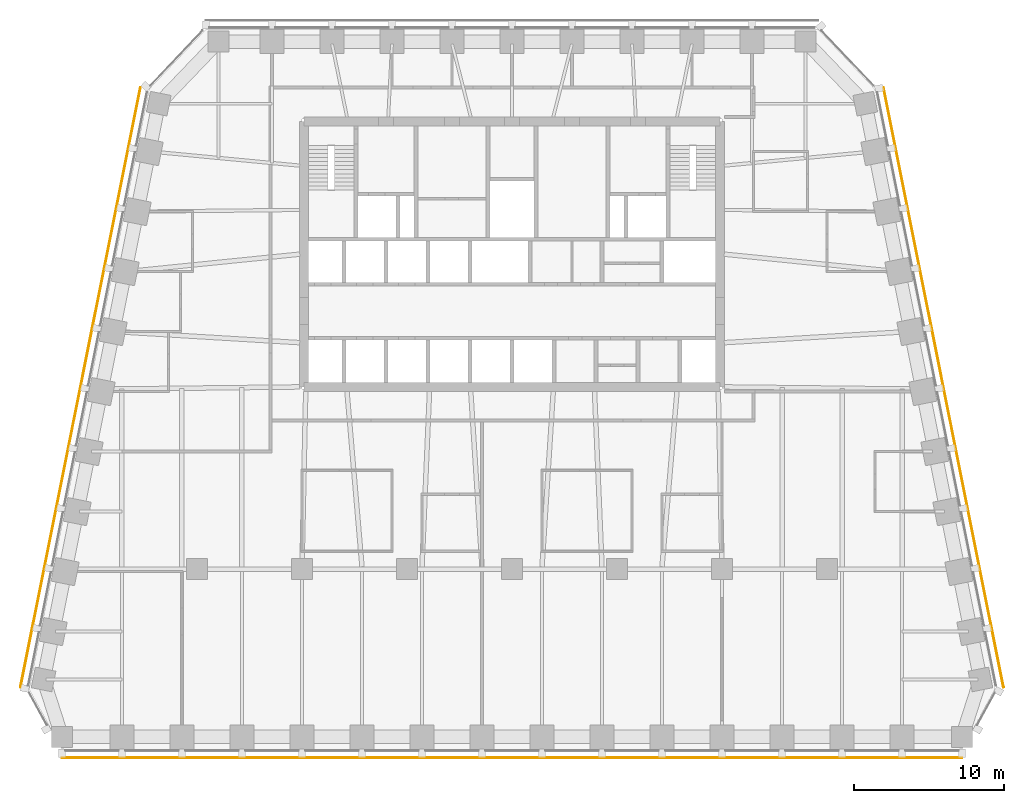
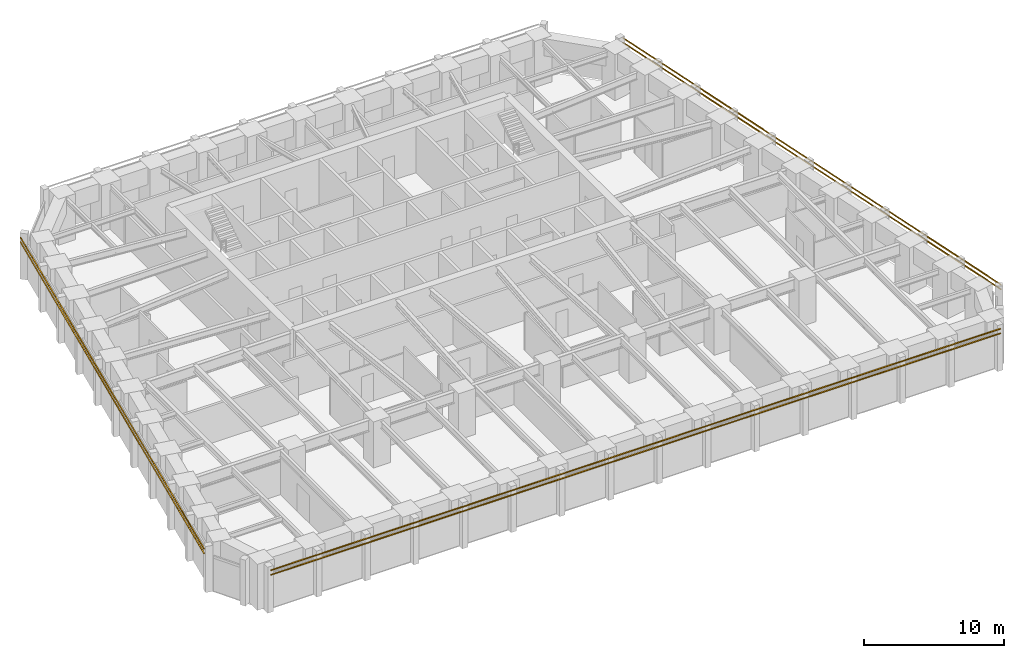
# One storey, part 9 of 10: 6 shading devices.
"""IFC4 building model written with IfcOpenShell, lengths in metres."""

from ifc_helpers import new_model, si_unit, direction, frame, origin, origin_2d, place, context, subcontext, project, spatial, rectangle, extrude, material, material_profile, profile_set, type_object, element, save


model = new_model("IFC4")

# Units and contexts
model_context = context("Model", 3, precision=1e-05, world=origin(), true_north=direction((0.0, 1.0)))
body_context = subcontext(model_context, "Body", "Model", "MODEL_VIEW")
ifc_project = project(units=[si_unit("LENGTHUNIT", "METRE"), si_unit("AREAUNIT", "SQUARE_METRE"), si_unit("VOLUMEUNIT", "CUBIC_METRE"), si_unit("PLANEANGLEUNIT", "RADIAN"), si_unit("MASSUNIT", "GRAM", prefix="KILO")], contexts=[model_context])

# Site, building, storey
site_placement = place(None, origin())
site = spatial("IfcSite", under=ifc_project, at=site_placement, CompositionType="ELEMENT")
building_placement = place(site_placement, origin())
building = spatial("IfcBuilding", under=site, at=building_placement, Name="Isbrekke Arena Tower", CompositionType="ELEMENT")
storey_placement = place(building_placement, frame((0.0, 0.0, 230.0)))
storey = spatial("IfcBuildingStorey", under=building, at=storey_placement, Name="L53", CompositionType="ELEMENT", Elevation=230.0)

# Shading devices
ifc_material = material(Name="Terracotta", Category="masonry")
ifc_material_profile = material_profile(ifc_material, rectangle(XDim=0.06005859375, YDim=0.06005859375, at=origin_2d()), Name="BAGUETTE 60X60")
ifc_profile_set = profile_set([ifc_material_profile], Name="Terracotta")
shading_device_type = type_object("IfcShadingDeviceType", Name="BG1 TERRACOTTA BAGUETTE 60 x 60", PredefinedType="USERDEFINED", material=ifc_profile_set)
for number, where, z_axis, x_axis, name in (
    (1, (-30.0, -18.580078125, 3.280029296875), (1.0, 0.0, 0.0), (0.0, 1.0, 0.0), "BG1 terracotta baguette S1 L53"),
    (2, (-30.0, -18.580078125, 3.679931640625), (1.0, 0.0, 0.0), (0.0, 1.0, 0.0), "BG1 terracotta baguette S2 L53"),
):
    element("IfcShadingDevice", number, at=place(storey_placement, frame(where, z_axis=z_axis, x_axis=x_axis)), inside=storey, type_object=shading_device_type, Name=name, ObjectType="TERRACOTTA BAGUETTE", PredefinedType="USERDEFINED", context=body_context, shape_type="SweptSolid", body=[
        extrude(rectangle(XDim=0.06005859375, YDim=0.06005859375, at=origin_2d()), origin(), (0.0, 0.0, 1.0), 60.0),
    ])
for number, where, z_axis, x_axis, name in (
    (3, (32.768798828125, -13.88623046875, 3.280029296875), (-0.196116135138, 0.980580675691, 0.0), (-0.980580675691, -0.196116135138, 0.0), "BG1 terracotta baguette E1 L53"),
    (4, (32.768798828125, -13.88623046875, 3.679931640625), (-0.196116135138, 0.980580675691, 0.0), (-0.980580675691, -0.196116135138, 0.0), "BG1 terracotta baguette E2 L53"),
    (5, (-24.768798828125, 26.11376953125, 3.280029296875), (-0.196116135138, -0.980580675691, 0.0), (0.980580675691, -0.196116135138, 0.0), "BG1 terracotta baguette W1 L53"),
    (6, (-24.768798828125, 26.11376953125, 3.679931640625), (-0.196116135138, -0.980580675691, 0.0), (0.980580675691, -0.196116135138, 0.0), "BG1 terracotta baguette W2 L53"),
):
    element("IfcShadingDevice", number, at=place(storey_placement, frame(where, z_axis=z_axis, x_axis=x_axis)), inside=storey, type_object=shading_device_type, Name=name, ObjectType="TERRACOTTA BAGUETTE", PredefinedType="USERDEFINED", context=body_context, shape_type="SweptSolid", body=[
        extrude(rectangle(XDim=0.06005859375, YDim=0.06005859375, at=origin_2d()), origin(), (0.0, 0.0, 1.0), 40.792236328125),
    ])

save(model, "model.ifc")
